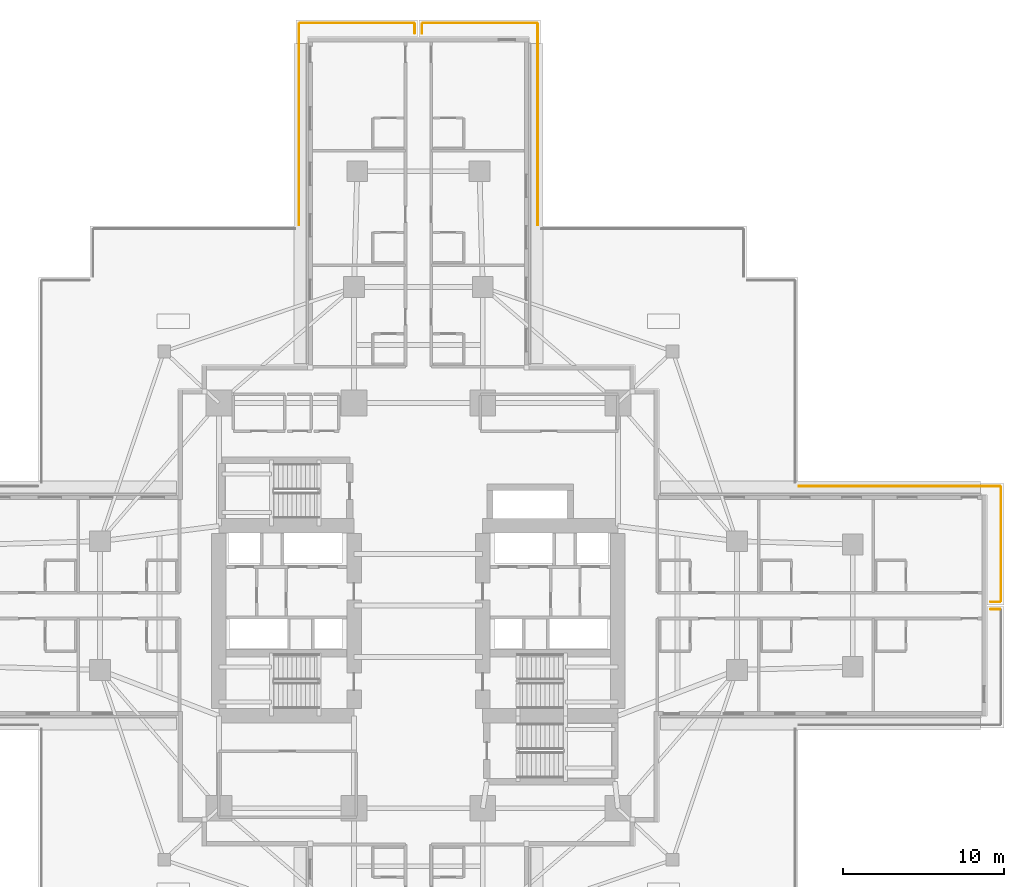
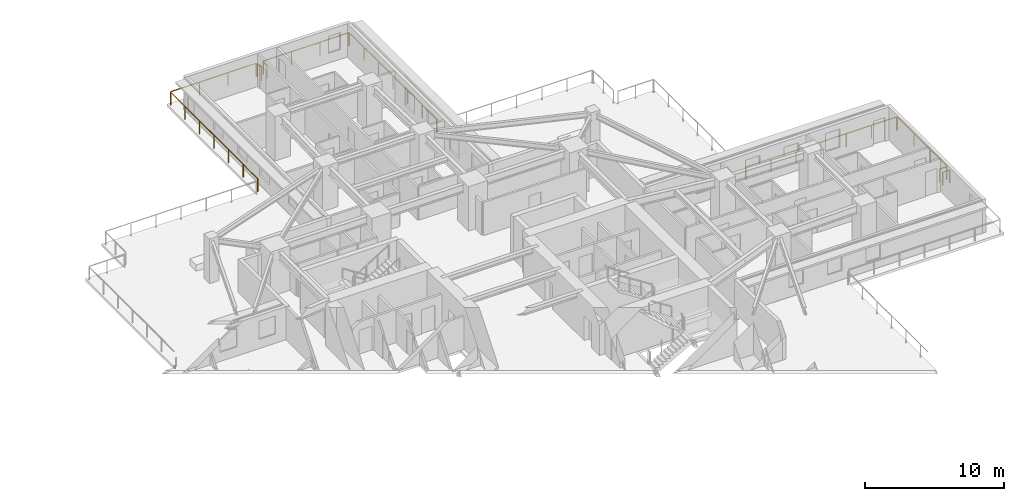
# One storey, part 15 of 15: 10 railings.
"""IFC4 building model written with IfcOpenShell, lengths in metres."""

from ifc_helpers import new_model, si_unit, direction, frame, origin, origin_2d, place, context, subcontext, project, spatial, circle, extrude, material, type_object, element, save


model = new_model("IFC4")

# Units and contexts
model_context = context("Model", 3, precision=1e-05, world=origin(), true_north=direction((0.0, 1.0)))
body_context = subcontext(model_context, "Body", "Model", "MODEL_VIEW")
ifc_project = project(units=[si_unit("LENGTHUNIT", "METRE"), si_unit("AREAUNIT", "SQUARE_METRE"), si_unit("VOLUMEUNIT", "CUBIC_METRE"), si_unit("PLANEANGLEUNIT", "RADIAN"), si_unit("MASSUNIT", "GRAM", prefix="KILO")], contexts=[model_context])

# Site, building, storey
site_placement = place(None, origin())
site = spatial("IfcSite", under=ifc_project, at=site_placement, CompositionType="ELEMENT")
building_placement = place(site_placement, origin())
building = spatial("IfcBuilding", under=site, at=building_placement, Name="Qingluan Cross Belvedere", CompositionType="ELEMENT")
storey_placement = place(building_placement, frame((0.0, 0.0, 23.699951171875)))
storey = spatial("IfcBuildingStorey", under=building, at=storey_placement, Name="L06", CompositionType="ELEMENT", Elevation=23.699951171875)

# Railings
ifc_material = material(Name="Laminated glass and stainless steel balustrade", Category="steel")
railing_type = type_object("IfcRailingType", Name="TerraceGuardBalustrade_1150", PredefinedType="BALUSTRADE", material=ifc_material)
railing_1_placement = place(storey_placement, frame((0.2900390625, 36.219970703125, 0.0)))
element("IfcRailing", 1, at=railing_1_placement, inside=storey, type_object=railing_type, Name="Terrace guard L06-1", PredefinedType="BALUSTRADE", context=body_context, shape_type="SweptSolid", body=[
    extrude(circle(Radius=0.02392578125, at=origin_2d()), frame((0.0, 0.0, 1.1259765625), z_axis=(1.0, 0.0, 0.0), x_axis=(0.0, 1.0, 0.0)), (0.0, 0.0, 1.0), 7.070068359375),
    extrude(circle(Radius=0.02099609375, at=origin_2d()), origin(), (0.0, 0.0, 1.0), 1.101806640625),
    extrude(circle(Radius=0.02099609375, at=origin_2d()), frame((2.356689453125, 0.0, 0.0)), (0.0, 0.0, 1.0), 1.101806640625),
    extrude(circle(Radius=0.02099609375, at=origin_2d()), frame((4.71337890625, 0.0, 0.0)), (0.0, 0.0, 1.0), 1.101806640625),
    extrude(circle(Radius=0.02099609375, at=origin_2d()), frame((7.070068359375, 0.0, 0.0)), (0.0, 0.0, 1.0), 1.101806640625),
])
railing_2_placement = place(storey_placement, frame((7.419921875, 36.159912109375, 0.0)))
element("IfcRailing", 2, at=railing_2_placement, inside=storey, type_object=railing_type, Name="Terrace guard L06-2", PredefinedType="BALUSTRADE", context=body_context, shape_type="SweptSolid", body=[
    extrude(circle(Radius=0.02392578125, at=origin_2d()), frame((0.0, 0.0, 1.1259765625), z_axis=(0.0, -1.0, 0.0), x_axis=(1.0, 0.0, 0.0)), (0.0, 0.0, 1.0), 12.5),
    extrude(circle(Radius=0.02099609375, at=origin_2d()), origin(), (0.0, 0.0, 1.0), 1.101806640625),
    extrude(circle(Radius=0.02099609375, at=origin_2d()), frame((0.0, -2.083251953125, 0.0)), (0.0, 0.0, 1.0), 1.101806640625),
    extrude(circle(Radius=0.02099609375, at=origin_2d()), frame((0.0, -4.166748046875, 0.0)), (0.0, 0.0, 1.0), 1.101806640625),
    extrude(circle(Radius=0.02099609375, at=origin_2d()), frame((0.0, -6.25, 0.0)), (0.0, 0.0, 1.0), 1.101806640625),
    extrude(circle(Radius=0.02099609375, at=origin_2d()), frame((0.0, -8.333251953125, 0.0)), (0.0, 0.0, 1.0), 1.101806640625),
    extrude(circle(Radius=0.02099609375, at=origin_2d()), frame((0.0, -10.416748046875, 0.0)), (0.0, 0.0, 1.0), 1.101806640625),
    extrude(circle(Radius=0.02099609375, at=origin_2d()), frame((0.0, -12.5, 0.0)), (0.0, 0.0, 1.0), 1.101806640625),
])
railing_3_placement = place(storey_placement, frame((23.659912109375, 7.419921875, 0.0)))
element("IfcRailing", 3, at=railing_3_placement, inside=storey, type_object=railing_type, Name="Terrace guard L06-7", PredefinedType="BALUSTRADE", context=body_context, shape_type="SweptSolid", body=[
    extrude(circle(Radius=0.02392578125, at=origin_2d()), frame((0.0, 0.0, 1.1259765625), z_axis=(1.0, 0.0, 0.0), x_axis=(0.0, 1.0, 0.0)), (0.0, 0.0, 1.0), 12.5),
    extrude(circle(Radius=0.02099609375, at=origin_2d()), origin(), (0.0, 0.0, 1.0), 1.101806640625),
    extrude(circle(Radius=0.02099609375, at=origin_2d()), frame((2.083251953125, 0.0, 0.0)), (0.0, 0.0, 1.0), 1.101806640625),
    extrude(circle(Radius=0.02099609375, at=origin_2d()), frame((4.166748046875, 0.0, 0.0)), (0.0, 0.0, 1.0), 1.101806640625),
    extrude(circle(Radius=0.02099609375, at=origin_2d()), frame((6.25, 0.0, 0.0)), (0.0, 0.0, 1.0), 1.101806640625),
    extrude(circle(Radius=0.02099609375, at=origin_2d()), frame((8.333251953125, 0.0, 0.0)), (0.0, 0.0, 1.0), 1.101806640625),
    extrude(circle(Radius=0.02099609375, at=origin_2d()), frame((10.416748046875, 0.0, 0.0)), (0.0, 0.0, 1.0), 1.101806640625),
    extrude(circle(Radius=0.02099609375, at=origin_2d()), frame((12.5, 0.0, 0.0)), (0.0, 0.0, 1.0), 1.101806640625),
])
railing_4_placement = place(storey_placement, frame((36.219970703125, 7.360107421875, 0.0)))
element("IfcRailing", 4, at=railing_4_placement, inside=storey, type_object=railing_type, Name="Terrace guard L06-8", PredefinedType="BALUSTRADE", context=body_context, shape_type="SweptSolid", body=[
    extrude(circle(Radius=0.02392578125, at=origin_2d()), frame((0.0, 0.0, 1.1259765625), z_axis=(0.0, -1.0, 0.0), x_axis=(1.0, 0.0, 0.0)), (0.0, 0.0, 1.0), 7.070068359375),
    extrude(circle(Radius=0.02099609375, at=origin_2d()), origin(), (0.0, 0.0, 1.0), 1.101806640625),
    extrude(circle(Radius=0.02099609375, at=origin_2d()), frame((0.0, -2.356689453125, 0.0)), (0.0, 0.0, 1.0), 1.101806640625),
    extrude(circle(Radius=0.02099609375, at=origin_2d()), frame((0.0, -4.71337890625, 0.0)), (0.0, 0.0, 1.0), 1.101806640625),
    extrude(circle(Radius=0.02099609375, at=origin_2d()), frame((0.0, -7.070068359375, 0.0)), (0.0, 0.0, 1.0), 1.101806640625),
])
railing_5_placement = place(storey_placement, frame((36.159912109375, 0.22998046875, 0.0)))
element("IfcRailing", 5, at=railing_5_placement, inside=storey, type_object=railing_type, Name="Terrace guard L06-9", PredefinedType="BALUSTRADE", context=body_context, shape_type="SweptSolid", body=[
    extrude(circle(Radius=0.02392578125, at=origin_2d()), frame((0.0, 0.0, 1.1259765625), z_axis=(-1.0, 0.0, 0.0), x_axis=(0.0, -1.0, 0.0)), (0.0, 0.0, 1.0), 0.579833984375),
    extrude(circle(Radius=0.02099609375, at=origin_2d()), origin(), (0.0, 0.0, 1.0), 1.101806640625),
    extrude(circle(Radius=0.02099609375, at=origin_2d()), frame((-0.579833984375, 0.0, 0.0)), (0.0, 0.0, 1.0), 1.101806640625),
])
railing_6_placement = place(storey_placement, frame((0.22998046875, 35.580078125, 0.0)))
element("IfcRailing", 6, at=railing_6_placement, inside=storey, type_object=railing_type, Name="Terrace guard L06-10", PredefinedType="BALUSTRADE", context=body_context, shape_type="SweptSolid", body=[
    extrude(circle(Radius=0.02392578125, at=origin_2d()), frame((0.0, 0.0, 1.1259765625), z_axis=(0.0, 1.0, 0.0), x_axis=(-1.0, 0.0, 0.0)), (0.0, 0.0, 1.0), 0.579833984375),
    extrude(circle(Radius=0.02099609375, at=origin_2d()), origin(), (0.0, 0.0, 1.0), 1.101806640625),
    extrude(circle(Radius=0.02099609375, at=origin_2d()), frame((0.0, 0.579833984375, 0.0)), (0.0, 0.0, 1.0), 1.101806640625),
])
railing_7_placement = place(storey_placement, frame((-7.419921875, 23.659912109375, 0.0)))
element("IfcRailing", 7, at=railing_7_placement, inside=storey, type_object=railing_type, Name="Terrace guard L06-7", PredefinedType="BALUSTRADE", context=body_context, shape_type="SweptSolid", body=[
    extrude(circle(Radius=0.02392578125, at=origin_2d()), frame((0.0, 0.0, 1.1259765625), z_axis=(0.0, 1.0, 0.0), x_axis=(-1.0, 0.0, 0.0)), (0.0, 0.0, 1.0), 12.5),
    extrude(circle(Radius=0.02099609375, at=origin_2d()), origin(), (0.0, 0.0, 1.0), 1.101806640625),
    extrude(circle(Radius=0.02099609375, at=origin_2d()), frame((0.0, 2.083251953125, 0.0)), (0.0, 0.0, 1.0), 1.101806640625),
    extrude(circle(Radius=0.02099609375, at=origin_2d()), frame((0.0, 4.166748046875, 0.0)), (0.0, 0.0, 1.0), 1.101806640625),
    extrude(circle(Radius=0.02099609375, at=origin_2d()), frame((0.0, 6.25, 0.0)), (0.0, 0.0, 1.0), 1.101806640625),
    extrude(circle(Radius=0.02099609375, at=origin_2d()), frame((0.0, 8.333251953125, 0.0)), (0.0, 0.0, 1.0), 1.101806640625),
    extrude(circle(Radius=0.02099609375, at=origin_2d()), frame((0.0, 10.416748046875, 0.0)), (0.0, 0.0, 1.0), 1.101806640625),
    extrude(circle(Radius=0.02099609375, at=origin_2d()), frame((0.0, 12.5, 0.0)), (0.0, 0.0, 1.0), 1.101806640625),
])
railing_8_placement = place(storey_placement, frame((-7.360107421875, 36.219970703125, 0.0)))
element("IfcRailing", 8, at=railing_8_placement, inside=storey, type_object=railing_type, Name="Terrace guard L06-8", PredefinedType="BALUSTRADE", context=body_context, shape_type="SweptSolid", body=[
    extrude(circle(Radius=0.02392578125, at=origin_2d()), frame((0.0, 0.0, 1.1259765625), z_axis=(1.0, 0.0, 0.0), x_axis=(0.0, 1.0, 0.0)), (0.0, 0.0, 1.0), 7.070068359375),
    extrude(circle(Radius=0.02099609375, at=origin_2d()), origin(), (0.0, 0.0, 1.0), 1.101806640625),
    extrude(circle(Radius=0.02099609375, at=origin_2d()), frame((2.356689453125, 0.0, 0.0)), (0.0, 0.0, 1.0), 1.101806640625),
    extrude(circle(Radius=0.02099609375, at=origin_2d()), frame((4.71337890625, 0.0, 0.0)), (0.0, 0.0, 1.0), 1.101806640625),
    extrude(circle(Radius=0.02099609375, at=origin_2d()), frame((7.070068359375, 0.0, 0.0)), (0.0, 0.0, 1.0), 1.101806640625),
])
railing_9_placement = place(storey_placement, frame((-0.22998046875, 36.159912109375, 0.0)))
element("IfcRailing", 9, at=railing_9_placement, inside=storey, type_object=railing_type, Name="Terrace guard L06-9", PredefinedType="BALUSTRADE", context=body_context, shape_type="SweptSolid", body=[
    extrude(circle(Radius=0.02392578125, at=origin_2d()), frame((0.0, 0.0, 1.1259765625), z_axis=(0.0, -1.0, 0.0), x_axis=(1.0, 0.0, 0.0)), (0.0, 0.0, 1.0), 0.579833984375),
    extrude(circle(Radius=0.02099609375, at=origin_2d()), origin(), (0.0, 0.0, 1.0), 1.101806640625),
    extrude(circle(Radius=0.02099609375, at=origin_2d()), frame((0.0, -0.579833984375, 0.0)), (0.0, 0.0, 1.0), 1.101806640625),
])
railing_10_placement = place(storey_placement, frame((35.580078125, -0.22998046875, 0.0)))
element("IfcRailing", 10, at=railing_10_placement, inside=storey, type_object=railing_type, Name="Terrace guard L06-3", PredefinedType="BALUSTRADE", context=body_context, shape_type="SweptSolid", body=[
    extrude(circle(Radius=0.02392578125, at=origin_2d()), frame((0.0, 0.0, 1.1259765625), z_axis=(1.0, 0.0, 0.0), x_axis=(0.0, 1.0, 0.0)), (0.0, 0.0, 1.0), 0.579833984375),
    extrude(circle(Radius=0.02099609375, at=origin_2d()), origin(), (0.0, 0.0, 1.0), 1.101806640625),
    extrude(circle(Radius=0.02099609375, at=origin_2d()), frame((0.579833984375, 0.0, 0.0)), (0.0, 0.0, 1.0), 1.101806640625),
])

save(model, "model.ifc")
